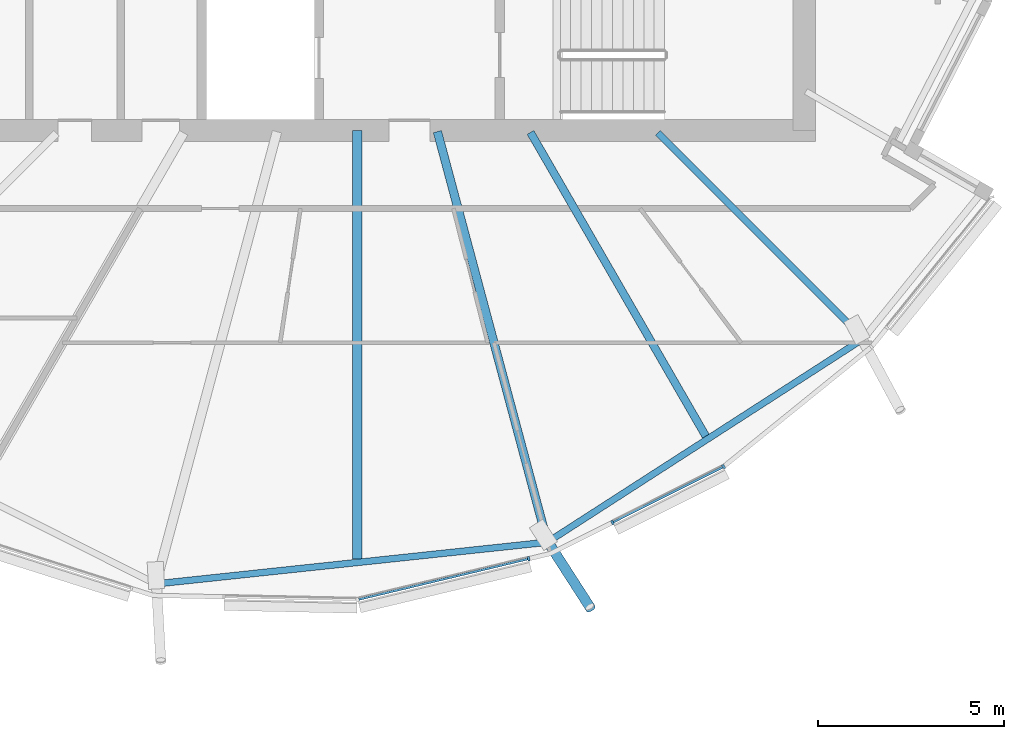
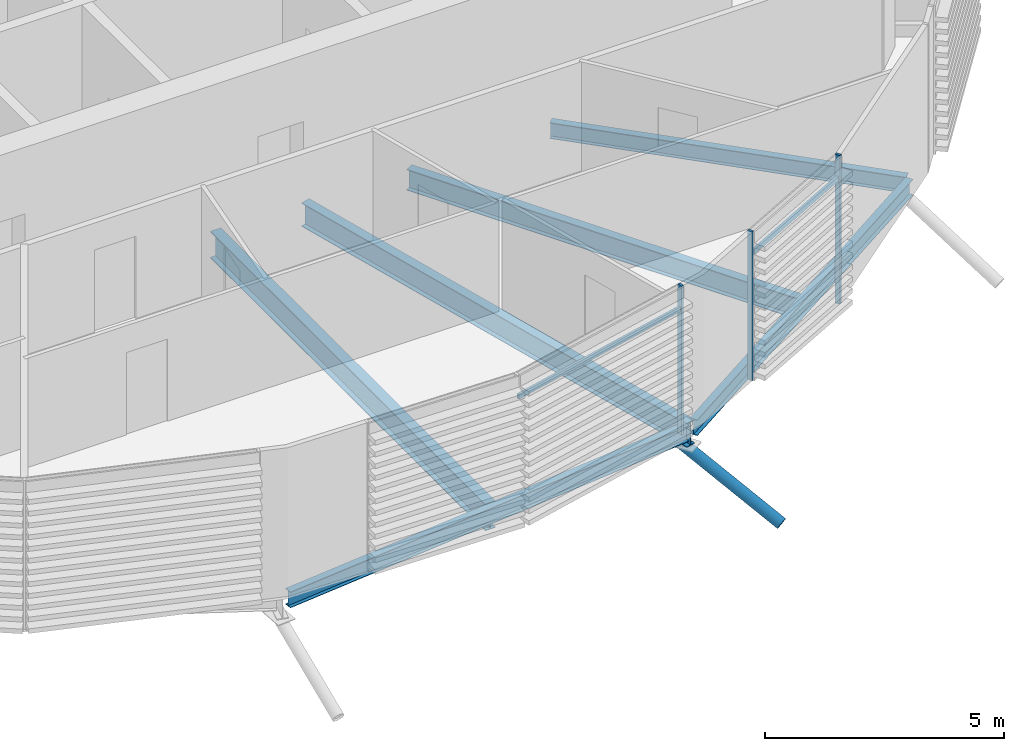
# One storey, part 13 of 38: 6 beams, 6 members, 1 element without a shape of its own.
"""IFC4 building model written with IfcOpenShell, lengths in metres."""

from ifc_helpers import new_model, si_unit, direction, frame, origin, origin_2d, place, context, subcontext, project, spatial, rectangle, hollow_circle, i_section, extrude, clip, halfspace, material, material_profile, profile_set, type_object, element, aggregate, save


model = new_model("IFC4")

# Units and contexts
model_context = context("Model", 3, precision=1e-05, world=origin(), true_north=direction((0.0, 1.0)))
body_context = subcontext(model_context, "Body", "Model", "MODEL_VIEW")
ifc_project = project(units=[si_unit("LENGTHUNIT", "METRE"), si_unit("AREAUNIT", "SQUARE_METRE"), si_unit("VOLUMEUNIT", "CUBIC_METRE"), si_unit("PLANEANGLEUNIT", "RADIAN"), si_unit("MASSUNIT", "GRAM", prefix="KILO")], contexts=[model_context])

# Site, building, storey
site_placement = place(None, origin())
site = spatial("IfcSite", under=ifc_project, at=site_placement, CompositionType="ELEMENT")
building_placement = place(site_placement, origin())
building = spatial("IfcBuilding", under=site, at=building_placement, Name="Rimbun Link Towers", CompositionType="ELEMENT")
storey_placement = place(building_placement, frame((0.0, 0.0, 185.5)))
storey = spatial("IfcBuildingStorey", under=building, at=storey_placement, Name="L45", CompositionType="ELEMENT", Elevation=185.5)

# Curtain wall, members
ifc_material_1 = material(Name="Aluminium 6063-T6 and low-iron glass", Category="aluminium")
curtain_wall_type = type_object("IfcCurtainWallType", Name="CW1-Z3 unitised vision wall (zone 3)", PredefinedType="NOTDEFINED", material=ifc_material_1)
curtain_wall_placement = place(storey_placement, origin())
curtain_wall = element("IfcCurtainWall", 1, at=curtain_wall_placement, inside=storey, type_object=curtain_wall_type, Name="CW1 L45 T2", PredefinedType="NOTDEFINED")
ifc_material_2 = material(Name="Aluminium 6063-T6", Category="aluminium")
ifc_material_profile_1 = material_profile(ifc_material_2, rectangle(XDim=0.1201171875, YDim=0.06005859375, at=origin_2d()), Name="MULLION 60X120")
ifc_profile_set_1 = profile_set([ifc_material_profile_1], Name="Aluminium 6063-T6")
member_type_1 = type_object("IfcMemberType", Name="CW1 mullion 60X120", PredefinedType="MULLION", material=ifc_profile_set_1)
member_1_placement = place(storey_placement, frame((36.35107421875, -19.495361328125, 0.0), z_axis=(0.0, 0.0, 1.0), x_axis=(0.232596033225, -0.972573434414, 0.0)))
member_1 = element("IfcMember", 2, at=member_1_placement, type_object=member_type_1, Name="CW1 mullion", PredefinedType="MULLION", context=body_context, shape_type="SweptSolid", body=[
    extrude(rectangle(XDim=0.1201171875, YDim=0.06005859375, at=origin_2d()), origin(), (0.0, 0.0, 1.0), 3.800048828125),
])
member_2_placement = place(storey_placement, frame((41.58203125, -17.0234375, 0.0), z_axis=(0.0, 0.0, 1.0), x_axis=(0.542094317248, -0.840317648992, 0.0)))
member_2 = element("IfcMember", 3, at=member_2_placement, type_object=member_type_1, Name="CW1 mullion", PredefinedType="MULLION", context=body_context, shape_type="SweptSolid", body=[
    extrude(rectangle(XDim=0.1201171875, YDim=0.06005859375, at=origin_2d()), origin(), (0.0, 0.0, 1.0), 3.800048828125),
])
member_3_placement = place(storey_placement, frame((38.600830078125, -18.52099609375, 0.0), z_axis=(0.0, 0.0, 1.0), x_axis=(0.448780599884, -0.893641971467, 0.0)))
member_3 = element("IfcMember", 4, at=member_3_placement, type_object=member_type_1, Name="CW1 mullion", PredefinedType="MULLION", context=body_context, shape_type="SweptSolid", body=[
    extrude(rectangle(XDim=0.1201171875, YDim=0.06005859375, at=origin_2d()), origin(), (0.0, 0.0, 1.0), 3.800048828125),
])
ifc_material_3 = material(Name="Aluminium 6063-T6", Category="aluminium")
ifc_material_profile_2 = material_profile(ifc_material_3, rectangle(XDim=0.06005859375, YDim=0.1201171875, at=origin_2d()), Name="TRANSOM 60X120")
ifc_profile_set_2 = profile_set([ifc_material_profile_2], Name="Aluminium 6063-T6")
member_type_2 = type_object("IfcMemberType", Name="CW1 transom 60X120", PredefinedType="USERDEFINED", material=ifc_profile_set_2)
member_4_placement = place(storey_placement, frame((36.321533203125, -19.50048828125, 3.199951171875), z_axis=(-0.972577344747, -0.232579682011, 0.0), x_axis=(0.232579682011, -0.972577344747, 0.0)))
member_4 = element("IfcMember", 5, at=member_4_placement, type_object=member_type_2, Name="CW1 transom", ObjectType="TRANSOM", PredefinedType="USERDEFINED", context=body_context, shape_type="SweptSolid", body=[
    extrude(rectangle(XDim=0.06005859375, YDim=0.1201171875, at=origin_2d()), origin(), (0.0, 0.0, 1.0), 4.656494140625),
])
member_5_placement = place(storey_placement, frame((41.548583984375, -17.038330078125, 3.199951171875), z_axis=(-0.89364927564, -0.44876605503, 0.0), x_axis=(0.44876605503, -0.89364927564, 0.0)))
member_5 = element("IfcMember", 6, at=member_5_placement, type_object=member_type_2, Name="CW1 transom", ObjectType="TRANSOM", PredefinedType="USERDEFINED", context=body_context, shape_type="SweptSolid", body=[
    extrude(rectangle(XDim=0.06005859375, YDim=0.1201171875, at=origin_2d()), origin(), (0.0, 0.0, 1.0), 3.26953125),
])
aggregate(curtain_wall, [member_1, member_2, member_3, member_4, member_5])

# Member
ifc_material_4 = material(Name="Steel S355J2H", Category="steel")
ifc_material_profile_3 = material_profile(ifc_material_4, hollow_circle(Radius=0.136474609375, WallThickness=0.012451171875, at=origin_2d()), Name="CHS 273x12.5")
ifc_profile_set_3 = profile_set([ifc_material_profile_3], Name="Steel S355J2H")
member_type_3 = type_object("IfcMemberType", Name="Floor edge link CHS 273x12.5", PredefinedType="BRACE", material=ifc_profile_set_3)
member_6_placement = place(storey_placement, frame((36.841796875, -19.002685546875, -0.87158203125), z_axis=(0.473222549607, -0.735021951403, -0.485595664621), x_axis=(0.840809650504, 0.541330889216, 0.0)))
element("IfcMember", 7, at=member_6_placement, inside=storey, type_object=member_type_3, Name="Floor edge link T2 L45 16", PredefinedType="BRACE", context=body_context, shape_type="Clipping", body=[
    clip(extrude(hollow_circle(Radius=0.136474609375, WallThickness=0.012451171875, at=origin_2d()), frame((0.0, 0.0, -0.511962890625)), (0.0, 0.0, 1.0), 2.998291015625), halfspace(frame((0.0, 0.0, -0.240966796875), z_axis=(0.0, 0.874183533648, -0.485595664621)), False)),
])

# Beams
ifc_material_5 = material(Name="Steel S355J2", Category="steel")
ifc_material_profile_4 = material_profile(ifc_material_5, i_section(OverallWidth=0.177978515625, OverallDepth=0.406494140625, WebThickness=0.0078125, FlangeThickness=0.0126953125, at=origin_2d()), Name="UB 406x178x60")
ifc_profile_set_4 = profile_set([ifc_material_profile_4], Name="Steel S355J2")
beam_type_1 = type_object("IfcBeamType", Name="UB 406x178x60", PredefinedType="BEAM", material=ifc_profile_set_4)
beam_1_placement = place(storey_placement, frame((39.813720703125, -8.063720703125, -0.353271484375), z_axis=(0.707106781187, -0.707106781187, 0.0), x_axis=(0.707106781187, 0.707106781187, 0.0)))
element("IfcBeam", 8, at=beam_1_placement, inside=storey, type_object=beam_type_1, Name="Radial beam T2 L45 18", PredefinedType="BEAM", context=body_context, shape_type="SweptSolid", body=[
    extrude(i_section(OverallWidth=0.177978515625, OverallDepth=0.406494140625, WebThickness=0.0078125, FlangeThickness=0.0126953125, at=origin_2d()), origin(), (0.0, 0.0, 1.0), 7.719482421875),
])
beam_2_placement = place(storey_placement, frame((26.481689453125, -20.155517578125, -0.353271484375), z_axis=(0.994377889663, 0.105889624372, 0.0), x_axis=(-0.105889624372, 0.994377889663, 0.0)))
element("IfcBeam", 9, at=beam_2_placement, inside=storey, type_object=beam_type_1, Name="Edge beam T2 L45 14-16", PredefinedType="BEAM", context=body_context, shape_type="SweptSolid", body=[
    extrude(i_section(OverallWidth=0.177978515625, OverallDepth=0.406494140625, WebThickness=0.0078125, FlangeThickness=0.0126953125, at=origin_2d()), origin(), (0.0, 0.0, 1.0), 10.3154296875),
])
beam_3_placement = place(storey_placement, frame((36.9560546875, -18.985595703125, -0.353271484375), z_axis=(0.840619053894, 0.541626814541, 0.0), x_axis=(-0.541626814541, 0.840619053894, 0.0)))
element("IfcBeam", 10, at=beam_3_placement, inside=storey, type_object=beam_type_1, Name="Edge beam T2 L45 16-18", PredefinedType="BEAM", context=body_context, shape_type="SweptSolid", body=[
    extrude(i_section(OverallWidth=0.177978515625, OverallDepth=0.406494140625, WebThickness=0.0078125, FlangeThickness=0.0126953125, at=origin_2d()), origin(), (0.0, 0.0, 1.0), 9.876953125),
])
ifc_material_6 = material(Name="Steel S355J2", Category="steel")
ifc_material_profile_5 = material_profile(ifc_material_6, i_section(OverallWidth=0.209228515625, OverallDepth=0.533203125, WebThickness=0.010009765625, FlangeThickness=0.015625, at=origin_2d()), Name="UB 533x210x92")
ifc_profile_set_5 = profile_set([ifc_material_profile_5], Name="Steel S355J2")
beam_type_2 = type_object("IfcBeamType", Name="UB 533x210x92", PredefinedType="BEAM", material=ifc_profile_set_5)
beam_4_placement = place(storey_placement, frame((36.3994140625, -8.05322265625, -0.41650390625), z_axis=(0.50001657107, -0.866015836261, 0.0), x_axis=(0.866015836261, 0.50001657107, 0.0)))
element("IfcBeam", 11, at=beam_4_placement, inside=storey, type_object=beam_type_2, Name="Radial beam T2 L45 17", PredefinedType="BEAM", context=body_context, shape_type="SweptSolid", body=[
    extrude(i_section(OverallWidth=0.209228515625, OverallDepth=0.533203125, WebThickness=0.010009765625, FlangeThickness=0.015625, at=origin_2d()), origin(), (0.0, 0.0, 1.0), 9.412841796875),
])
ifc_material_7 = material(Name="Steel S355J2", Category="steel")
ifc_material_profile_6 = material_profile(ifc_material_7, i_section(OverallWidth=0.2275390625, OverallDepth=0.6025390625, WebThickness=0.010498046875, FlangeThickness=0.014892578125, at=origin_2d()), Name="UB 610x229x101")
ifc_profile_set_6 = profile_set([ifc_material_profile_6], Name="Steel S355J2")
beam_type_3 = type_object("IfcBeamType", Name="UB 610x229x101", PredefinedType="BEAM", material=ifc_profile_set_6)
beam_5_placement = place(storey_placement, frame((33.901611328125, -8.030517578125, -0.451416015625), z_axis=(0.258839837013, -0.965920254873, 0.0), x_axis=(0.965920254873, 0.258839837013, 0.0)))
element("IfcBeam", 12, at=beam_5_placement, inside=storey, type_object=beam_type_3, Name="Radial beam T2 L45 16", PredefinedType="BEAM", context=body_context, shape_type="SweptSolid", body=[
    extrude(i_section(OverallWidth=0.2275390625, OverallDepth=0.6025390625, WebThickness=0.010498046875, FlangeThickness=0.014892578125, at=origin_2d()), origin(), (0.0, 0.0, 1.0), 11.4091796875),
])
ifc_material_8 = material(Name="Steel S355J2", Category="steel")
ifc_material_profile_7 = material_profile(ifc_material_8, i_section(OverallWidth=0.253662109375, OverallDepth=0.68359375, WebThickness=0.012451171875, FlangeThickness=0.01904296875, at=origin_2d()), Name="UB 686x254x140")
ifc_profile_set_7 = profile_set([ifc_material_profile_7], Name="Steel S355J2")
beam_type_4 = type_object("IfcBeamType", Name="UB 686x254x140", PredefinedType="BEAM", material=ifc_profile_set_7)
beam_6_placement = place(storey_placement, frame((31.75, -8.0009765625, -0.49169921875), z_axis=(0.0, -1.0, 0.0), x_axis=(1.0, 0.0, 0.0)))
element("IfcBeam", 13, at=beam_6_placement, inside=storey, type_object=beam_type_4, Name="Radial beam T2 L45 15", PredefinedType="BEAM", context=body_context, shape_type="SweptSolid", body=[
    extrude(i_section(OverallWidth=0.253662109375, OverallDepth=0.68359375, WebThickness=0.012451171875, FlangeThickness=0.01904296875, at=origin_2d()), origin(), (0.0, 0.0, 1.0), 11.503173828125),
])

save(model, "model.ifc")
